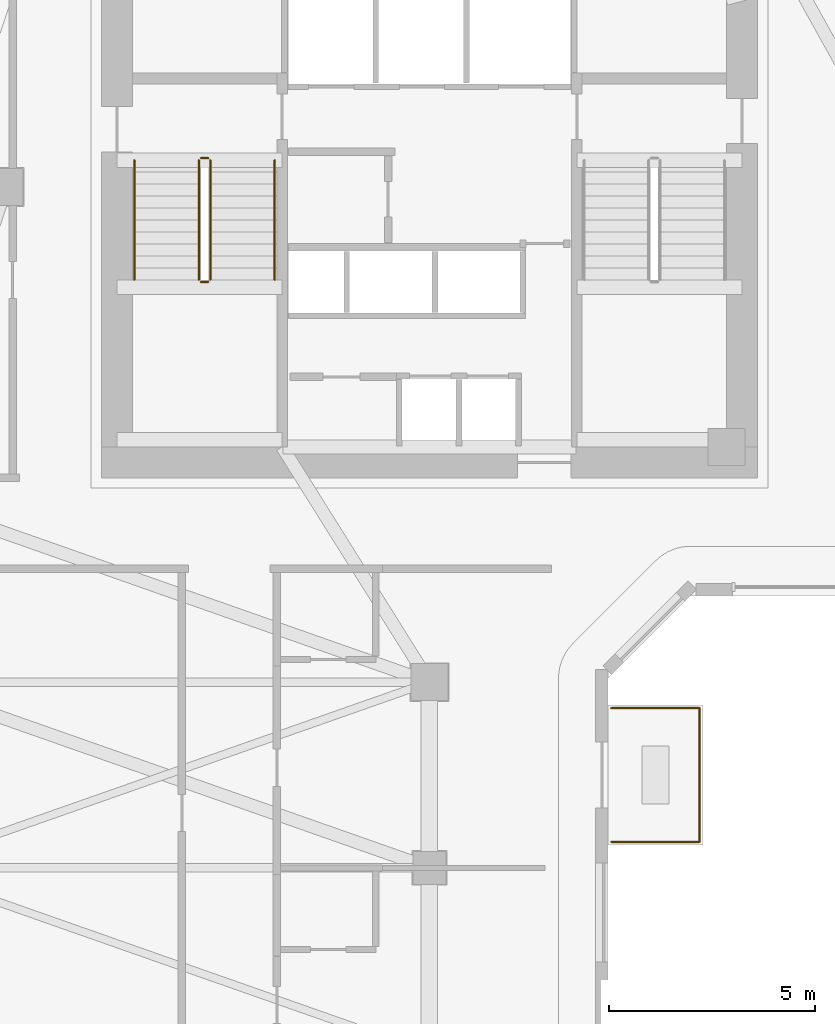
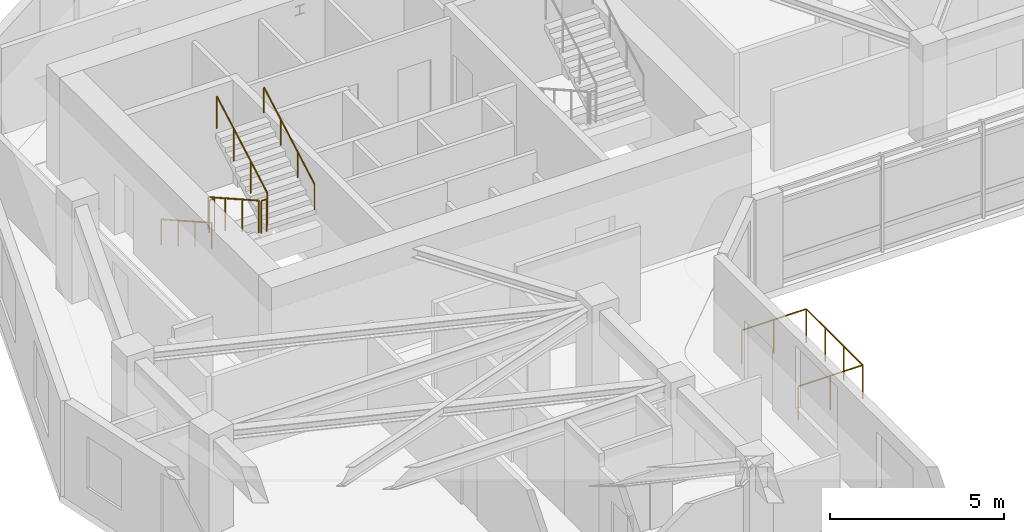
# One storey, part 8 of 10: 9 railings.
"""IFC4 building model written with IfcOpenShell, lengths in metres."""

import ifcopenshell
import ifcopenshell.guid

model = None  # the IFC model being written
_history = None  # IfcOwnerHistory: only IFC2X3 demands one
_inside = {}  # id of a spatial element -> (the spatial element, [elements in it])
_under = {}  # id of a project, library or spatial element -> (it, [spatial elements below it])
_declared = {}  # id of a project -> (the project, [libraries it declares])
_typed = {}  # id of a type object -> (the type object, [elements of that type])
_made_of = {}  # id of a material, layer set ... -> (it, [elements and type objects made of it])


def new_model(schema):
    """Start an empty IFC model of exactly this schema.

    Asked for "IFC4X3", IfcOpenShell would pick the latest addendum, in which some entities
    have other attributes; the version numbers below select the first issue.
    IFC2X3 requires an IfcOwnerHistory on every rooted entity: one is made here for all.
    """
    global model, _history
    if schema == "IFC4X3":
        model = ifcopenshell.file(schema_version=(4, 3, 0, 0))
    else:
        model = ifcopenshell.file(schema=schema)
    _inside.clear()
    _under.clear()
    _declared.clear()
    _typed.clear()
    _made_of.clear()
    _history = None
    if model.schema == "IFC2X3":
        org = make("IfcOrganization", Name="unknown")
        user = make(
            "IfcPersonAndOrganization",
            ThePerson=make("IfcPerson", FamilyName="unknown"),
            TheOrganization=org,
        )
        app = make(
            "IfcApplication",
            ApplicationDeveloper=org,
            Version="unknown",
            ApplicationFullName="unknown",
            ApplicationIdentifier="unknown",
        )
        _history = make(
            "IfcOwnerHistory",
            OwningUser=user,
            OwningApplication=app,
            ChangeAction="ADDED",
            CreationDate=0,
        )
    return model


def make(cls, **values):
    """One entity of the class cls with the attributes given. An attribute that is None is left unset."""
    return model.create_entity(
        cls, **{name: value for name, value in values.items() if value is not None}
    )


def rooted(cls, **values):
    """An entity with a GlobalId (a new one), such as an element, a storey or a relation."""
    return make(cls, GlobalId=ifcopenshell.guid.new(), OwnerHistory=_history, **values)


def si_unit(unit_type, name, prefix=None):
    """IfcSIUnit, for example si_unit("LENGTHUNIT", "METRE", prefix="MILLI")."""
    return make("IfcSIUnit", UnitType=unit_type, Prefix=prefix, Name=name)


def assignment(units):
    """IfcUnitAssignment: the units of a project."""
    return None if units is None else make("IfcUnitAssignment", Units=units)


def point(xyz):
    """IfcCartesianPoint."""
    return None if xyz is None else make("IfcCartesianPoint", Coordinates=xyz)


def direction(xyz):
    """IfcDirection."""
    return None if xyz is None else make("IfcDirection", DirectionRatios=xyz)


def frame(location, z_axis=None, x_axis=None):
    """IfcAxis2Placement3D, a coordinate frame: its origin and axes. An axis left out is left unset."""
    return make(
        "IfcAxis2Placement3D",
        Location=point(location),
        Axis=direction(z_axis),
        RefDirection=direction(x_axis),
    )


def frame_2d(location, x_axis=None):
    """IfcAxis2Placement2D, a coordinate frame in the plane: its origin and x axis."""
    return make(
        "IfcAxis2Placement2D", Location=point(location), RefDirection=direction(x_axis)
    )


def origin():
    """The frame at (0, 0, 0) with its axes left unset."""
    return frame((0.0, 0.0, 0.0))


def origin_2d():
    """The frame at (0, 0) in the plane with its x axis left unset."""
    return frame_2d((0.0, 0.0))


def place(relative_to, where):
    """IfcLocalPlacement: puts the frame where relative to a parent placement (None: the world)."""
    return make(
        "IfcLocalPlacement", PlacementRelTo=relative_to, RelativePlacement=where
    )


def context(
    kind, dimensions, precision=None, world=None, true_north=None, identifier=None
):
    """IfcGeometricRepresentationContext, for example the 3D "Model" context."""
    return make(
        "IfcGeometricRepresentationContext",
        ContextIdentifier=identifier,
        ContextType=kind,
        CoordinateSpaceDimension=dimensions,
        Precision=precision,
        WorldCoordinateSystem=world,
        TrueNorth=true_north,
    )


def subcontext(parent, identifier, kind, view, scale=None):
    """IfcGeometricRepresentationSubContext, for example "Body" below "Model"."""
    return make(
        "IfcGeometricRepresentationSubContext",
        ContextIdentifier=identifier,
        ContextType=kind,
        ParentContext=parent,
        TargetScale=scale,
        TargetView=view,
    )


def project(units=None, contexts=None):
    """IfcProject with its units and contexts."""
    return rooted(
        "IfcProject",
        Name="project",
        RepresentationContexts=contexts,
        UnitsInContext=assignment(units),
    )


def spatial(cls, under=None, at=None, **own):
    """A site, building, storey or space (cls), placed at a placement, below another one or the project."""
    s = rooted(cls, ObjectPlacement=at, **own)
    if under is not None:
        _under.setdefault(under.id(), (under, []))[1].append(s)
    return s


def profile(cls, at=None, kind="AREA", **sizes):
    """A parametric profile (cls). Its sizes go by their IFC names, for example OverallWidth=200.0."""
    return make(cls, ProfileType=kind, Position=at, **sizes)


def circle(**sizes):
    """IfcCircleProfileDef."""
    return profile("IfcCircleProfileDef", **sizes)


def extrude(swept, where, along, depth):
    """IfcExtrudedAreaSolid: the profile swept, set in the frame where, extruded along a direction by depth."""
    return make(
        "IfcExtrudedAreaSolid",
        SweptArea=swept,
        Position=where,
        ExtrudedDirection=direction(along),
        Depth=depth,
    )


def shape(context_of_items, identifier, shape_type, items):
    """IfcShapeRepresentation: the items that make up one representation, for example the "Body"."""
    return make(
        "IfcShapeRepresentation",
        ContextOfItems=context_of_items,
        RepresentationIdentifier=identifier,
        RepresentationType=shape_type,
        Items=items,
    )


def material(Name=None, Category=None):
    """IfcMaterial."""
    return make("IfcMaterial", Name=Name, Category=Category)


def made_of(thing, what):
    """Note that an element or type object is made of a material, layer set ...; save() writes the relation."""
    if what is not None:
        _made_of.setdefault(what.id(), (what, []))[1].append(thing)
    return thing


def type_object(cls, material=None, **own):
    """A type object (cls), such as IfcWallType, which elements share."""
    return made_of(rooted(cls, **own), material)


def element(
    cls,
    number,
    at=None,
    inside=None,
    cuts=None,
    type_object=None,
    material=None,
    context=None,
    identifier="Body",
    shape_type=None,
    held_by="IfcProductDefinitionShape",
    body=None,
    shapes=None,
    **own,
):
    """One element of the class cls, such as IfcWall. Its Tag is "e" and its number.

    at: its placement. inside: the storey or other place that contains it. cuts: it is an
    opening in that element (IfcRelVoidsElement). A single representation is given by context,
    identifier, shape_type and body (its items); several are given by shapes. held_by: the class
    of the entity that holds the representations. save() writes the other relations.
    """
    e = rooted(cls, Tag="e%d" % number, ObjectPlacement=at, **own)
    if body is not None:
        shapes = [shape(context, identifier, shape_type, body)]
    if shapes is not None:
        e.Representation = make(held_by, Representations=shapes)
    if inside is not None:
        _inside.setdefault(inside.id(), (inside, []))[1].append(e)
    if cuts is not None:
        rooted(
            "IfcRelVoidsElement", RelatingBuildingElement=cuts, RelatedOpeningElement=e
        )
    if type_object is not None:
        _typed.setdefault(type_object.id(), (type_object, []))[1].append(e)
    return made_of(e, material)


def aggregate(whole, parts):
    """IfcRelAggregates: a whole, such as a stair, and the parts it consists of."""
    return rooted("IfcRelAggregates", RelatingObject=whole, RelatedObjects=parts)


def save(model, path):
    """Write the relations noted so far, then the file.

    IfcRelAggregates (storeys below a building ...), IfcRelContainedInSpatialStructure (elements
    in a storey), IfcRelDefinesByType, IfcRelAssociatesMaterial and IfcRelDeclares: one each for
    every whole, place, type object, material and project.
    """
    for whole, parts in _under.values():
        aggregate(whole, parts)
    for where, things in _inside.values():
        rooted(
            "IfcRelContainedInSpatialStructure",
            RelatedElements=things,
            RelatingStructure=where,
        )
    for kind, things in _typed.values():
        rooted("IfcRelDefinesByType", RelatedObjects=things, RelatingType=kind)
    for what, things in _made_of.values():
        rooted("IfcRelAssociatesMaterial", RelatedObjects=things, RelatingMaterial=what)
    for by, libraries in _declared.values():
        rooted("IfcRelDeclares", RelatingContext=by, RelatedDefinitions=libraries)
    model.write(path)


model = new_model("IFC4")

# Units and contexts
model_context = context("Model", 3, precision=1e-05, world=origin(), true_north=direction((0.0, 1.0)))
body_context = subcontext(model_context, "Body", "Model", "MODEL_VIEW")
ifc_project = project(units=[si_unit("LENGTHUNIT", "METRE"), si_unit("AREAUNIT", "SQUARE_METRE"), si_unit("VOLUMEUNIT", "CUBIC_METRE"), si_unit("PLANEANGLEUNIT", "RADIAN"), si_unit("MASSUNIT", "GRAM", prefix="KILO")], contexts=[model_context])

# Site, building, storey
site_placement = place(None, origin())
site = spatial("IfcSite", under=ifc_project, at=site_placement, CompositionType="ELEMENT")
building_placement = place(site_placement, origin())
building = spatial("IfcBuilding", under=site, at=building_placement, Name="Calvemar Wedge Station Tower", CompositionType="ELEMENT")
storey_placement = place(building_placement, frame((0.0, 0.0, 150.199951171875)))
storey = spatial("IfcBuildingStorey", under=building, at=storey_placement, Name="L37", CompositionType="ELEMENT", Elevation=150.199951171875)

# Railings
ifc_material_1 = material(Name="Stainless steel AISI 316L", Category="steel")
railing_type_1 = type_object("IfcRailingType", Name="GRD-TERR-1200", PredefinedType="GUARDRAIL", material=ifc_material_1)
railing_1_placement = place(storey_placement, frame((28.2080078125, 27.8701171875, 0.0)))
element("IfcRailing", 1, at=railing_1_placement, inside=storey, type_object=railing_type_1, Name="Storey L37 Spiral Terrace Guard 2", PredefinedType="GUARDRAIL", context=body_context, shape_type="SweptSolid", body=[
    extrude(circle(Radius=0.02392578125, at=origin_2d()), frame((0.0, 0.0, 1.17578125), z_axis=(1.0, 0.0, 0.0), x_axis=(0.0, 1.0, 0.0)), (0.0, 0.0, 1.0), 2.139892578125),
    extrude(circle(Radius=0.02099609375, at=origin_2d()), origin(), (0.0, 0.0, 1.0), 1.15185546875),
    extrude(circle(Radius=0.02099609375, at=origin_2d()), frame((1.06982421875, 0.0, 0.0)), (0.0, 0.0, 1.0), 1.15185546875),
    extrude(circle(Radius=0.02099609375, at=origin_2d()), frame((2.139892578125, 0.0, 0.0)), (0.0, 0.0, 1.0), 1.15185546875),
])
railing_2_placement = place(storey_placement, frame((30.347900390625, 27.8701171875, 0.0)))
element("IfcRailing", 2, at=railing_2_placement, inside=storey, type_object=railing_type_1, Name="Storey L37 Spiral Terrace Guard 3", PredefinedType="GUARDRAIL", context=body_context, shape_type="SweptSolid", body=[
    extrude(circle(Radius=0.02392578125, at=origin_2d()), frame((0.0, 0.0, 1.17578125), z_axis=(0.0, -1.0, 0.0), x_axis=(1.0, 0.0, 0.0)), (0.0, 0.0, 1.0), 3.240234375),
    extrude(circle(Radius=0.02099609375, at=origin_2d()), origin(), (0.0, 0.0, 1.0), 1.15185546875),
    extrude(circle(Radius=0.02099609375, at=origin_2d()), frame((0.0, -1.080078125, 0.0)), (0.0, 0.0, 1.0), 1.15185546875),
    extrude(circle(Radius=0.02099609375, at=origin_2d()), frame((0.0, -2.16015625, 0.0)), (0.0, 0.0, 1.0), 1.15185546875),
    extrude(circle(Radius=0.02099609375, at=origin_2d()), frame((0.0, -3.240234375, 0.0)), (0.0, 0.0, 1.0), 1.15185546875),
])
railing_3_placement = place(storey_placement, frame((30.347900390625, 24.6298828125, 0.0)))
element("IfcRailing", 3, at=railing_3_placement, inside=storey, type_object=railing_type_1, Name="Storey L37 Spiral Terrace Guard 4", PredefinedType="GUARDRAIL", context=body_context, shape_type="SweptSolid", body=[
    extrude(circle(Radius=0.02392578125, at=origin_2d()), frame((0.0, 0.0, 1.17578125), z_axis=(-1.0, 0.0, 0.0), x_axis=(0.0, -1.0, 0.0)), (0.0, 0.0, 1.0), 2.139892578125),
    extrude(circle(Radius=0.02099609375, at=origin_2d()), origin(), (0.0, 0.0, 1.0), 1.15185546875),
    extrude(circle(Radius=0.02099609375, at=origin_2d()), frame((-1.06982421875, 0.0, 0.0)), (0.0, 0.0, 1.0), 1.15185546875),
    extrude(circle(Radius=0.02099609375, at=origin_2d()), frame((-2.139892578125, 0.0, 0.0)), (0.0, 0.0, 1.0), 1.15185546875),
])
railing_type_2 = type_object("IfcRailingType", Name="RL-HANDRAIL-920", PredefinedType="HANDRAIL", material=ifc_material_1)
railing_4_placement = place(storey_placement, frame((16.64990234375, 41.14990234375, 0.16357421875)))
element("IfcRailing", 4, at=railing_4_placement, inside=storey, type_object=railing_type_2, Name="L37 ST-C1 stair handrail 1", PredefinedType="HANDRAIL", context=body_context, shape_type="SweptSolid", body=[
    extrude(circle(Radius=0.02392578125, at=origin_2d()), frame((0.0, 0.0, 0.89599609375), z_axis=(0.0, -0.870897200241, 0.491465224214), x_axis=(1.0, 0.0, 0.0)), (0.0, 0.0, 1.0), 3.329833984375),
    extrude(circle(Radius=0.02099609375, at=origin_2d()), origin(), (0.0, 0.0, 1.0), 0.871826171875),
    extrude(circle(Radius=0.02099609375, at=origin_2d()), frame((0.0, -0.966552734375, 0.54541015625)), (0.0, 0.0, 1.0), 0.871826171875),
    extrude(circle(Radius=0.02099609375, at=origin_2d()), frame((0.0, -1.933349609375, 1.091064453125)), (0.0, 0.0, 1.0), 0.871826171875),
    extrude(circle(Radius=0.02099609375, at=origin_2d()), frame((0.0, -2.89990234375, 1.636474609375)), (0.0, 0.0, 1.0), 0.871826171875),
])
railing_5_placement = place(storey_placement, frame((20.050048828125, 38.25, 1.963623046875)))
element("IfcRailing", 5, at=railing_5_placement, inside=storey, type_object=railing_type_2, Name="L37 ST-C1 stair handrail 2", PredefinedType="HANDRAIL", context=body_context, shape_type="SweptSolid", body=[
    extrude(circle(Radius=0.02392578125, at=origin_2d()), frame((0.0, 0.0, 0.89599609375), z_axis=(0.0, 0.870897200241, 0.491465224214), x_axis=(-1.0, 0.0, 0.0)), (0.0, 0.0, 1.0), 3.329833984375),
    extrude(circle(Radius=0.02099609375, at=origin_2d()), origin(), (0.0, 0.0, 1.0), 0.871826171875),
    extrude(circle(Radius=0.02099609375, at=origin_2d()), frame((0.0, 0.966552734375, 0.54541015625)), (0.0, 0.0, 1.0), 0.871826171875),
    extrude(circle(Radius=0.02099609375, at=origin_2d()), frame((0.0, 1.933349609375, 1.091064453125)), (0.0, 0.0, 1.0), 0.871826171875),
    extrude(circle(Radius=0.02099609375, at=origin_2d()), frame((0.0, 2.89990234375, 1.636474609375)), (0.0, 0.0, 1.0), 0.871826171875),
])
ifc_material_2 = material(Name="Painted steel guardrail ASTM A500 Grade C", Category="steel")
railing_type_3 = type_object("IfcRailingType", Name="RL-STAIR-GUARD-1150", PredefinedType="GUARDRAIL", material=ifc_material_2)
railing_6_placement = place(storey_placement, frame((18.2099609375, 41.14990234375, 0.16357421875)))
element("IfcRailing", 6, at=railing_6_placement, inside=storey, type_object=railing_type_3, Name="L37 ST-C1 stair guard 1", PredefinedType="GUARDRAIL", context=body_context, shape_type="SweptSolid", body=[
    extrude(circle(Radius=0.02392578125, at=origin_2d()), frame((0.0, 0.0, 1.1259765625), z_axis=(0.0, -0.870897200241, 0.491465224214), x_axis=(1.0, 0.0, 0.0)), (0.0, 0.0, 1.0), 3.329833984375),
    extrude(circle(Radius=0.02099609375, at=origin_2d()), origin(), (0.0, 0.0, 1.0), 1.101806640625),
    extrude(circle(Radius=0.02099609375, at=origin_2d()), frame((0.0, -0.966552734375, 0.54541015625)), (0.0, 0.0, 1.0), 1.101806640625),
    extrude(circle(Radius=0.02099609375, at=origin_2d()), frame((0.0, -1.933349609375, 1.091064453125)), (0.0, 0.0, 1.0), 1.101806640625),
    extrude(circle(Radius=0.02099609375, at=origin_2d()), frame((0.0, -2.89990234375, 1.636474609375)), (0.0, 0.0, 1.0), 1.101806640625),
])
railing_7_placement = place(storey_placement, frame((18.260009765625, 38.199951171875, 1.800048828125)))
element("IfcRailing", 7, at=railing_7_placement, inside=storey, type_object=railing_type_3, Name="L37 ST-C1 stair guard 2", PredefinedType="GUARDRAIL", context=body_context, shape_type="SweptSolid", body=[
    extrude(circle(Radius=0.02392578125, at=origin_2d()), frame((0.0, 0.0, 1.1259765625), z_axis=(1.0, 0.0, 0.0), x_axis=(0.0, 1.0, 0.0)), (0.0, 0.0, 1.0), 0.179931640625),
    extrude(circle(Radius=0.02099609375, at=origin_2d()), origin(), (0.0, 0.0, 1.0), 1.101806640625),
    extrude(circle(Radius=0.02099609375, at=origin_2d()), frame((0.179931640625, 0.0, 0.0)), (0.0, 0.0, 1.0), 1.101806640625),
])
railing_8_placement = place(storey_placement, frame((18.489990234375, 38.25, 1.963623046875)))
element("IfcRailing", 8, at=railing_8_placement, inside=storey, type_object=railing_type_3, Name="L37 ST-C1 stair guard 3", PredefinedType="GUARDRAIL", context=body_context, shape_type="SweptSolid", body=[
    extrude(circle(Radius=0.02392578125, at=origin_2d()), frame((0.0, 0.0, 1.1259765625), z_axis=(0.0, 0.870897200241, 0.491465224214), x_axis=(-1.0, 0.0, 0.0)), (0.0, 0.0, 1.0), 3.329833984375),
    extrude(circle(Radius=0.02099609375, at=origin_2d()), origin(), (0.0, 0.0, 1.0), 1.101806640625),
    extrude(circle(Radius=0.02099609375, at=origin_2d()), frame((0.0, 0.966552734375, 0.54541015625)), (0.0, 0.0, 1.0), 1.101806640625),
    extrude(circle(Radius=0.02099609375, at=origin_2d()), frame((0.0, 1.933349609375, 1.091064453125)), (0.0, 0.0, 1.0), 1.101806640625),
    extrude(circle(Radius=0.02099609375, at=origin_2d()), frame((0.0, 2.89990234375, 1.636474609375)), (0.0, 0.0, 1.0), 1.101806640625),
])
railing_9_placement = place(storey_placement, frame((18.260009765625, 41.199951171875, 0.0)))
element("IfcRailing", 9, at=railing_9_placement, inside=storey, type_object=railing_type_3, Name="L37 ST-C1 stair guard 4", PredefinedType="GUARDRAIL", context=body_context, shape_type="SweptSolid", body=[
    extrude(circle(Radius=0.02392578125, at=origin_2d()), frame((0.0, 0.0, 1.1259765625), z_axis=(1.0, 0.0, 0.0), x_axis=(0.0, 1.0, 0.0)), (0.0, 0.0, 1.0), 0.179931640625),
    extrude(circle(Radius=0.02099609375, at=origin_2d()), origin(), (0.0, 0.0, 1.0), 1.101806640625),
    extrude(circle(Radius=0.02099609375, at=origin_2d()), frame((0.179931640625, 0.0, 0.0)), (0.0, 0.0, 1.0), 1.101806640625),
])

save(model, "model.ifc")
